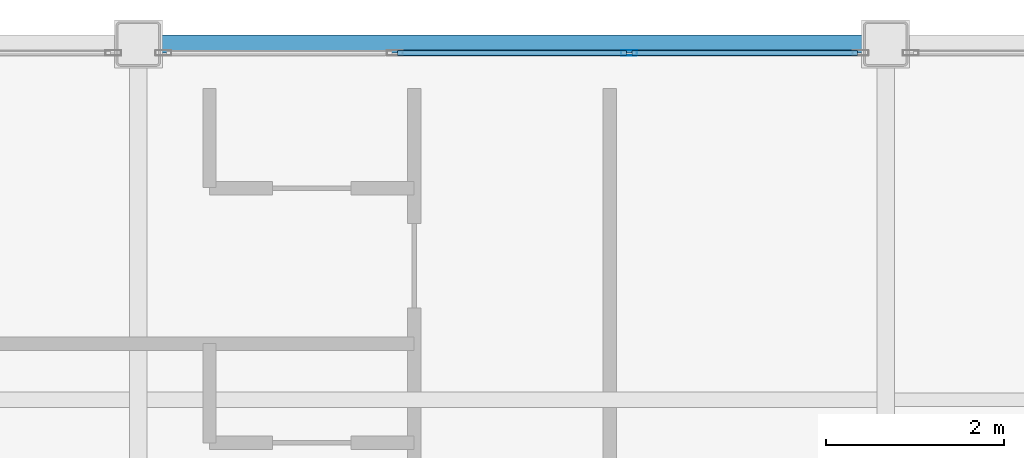
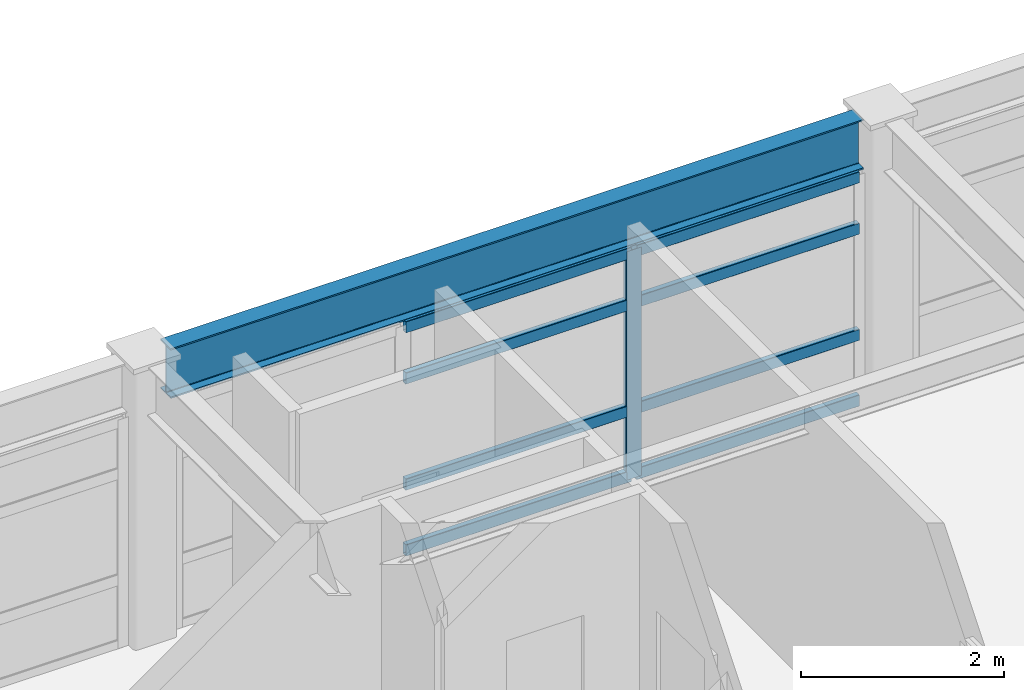
# One storey, part 19 of 33: 9 members, 1 beam, 1 element without a shape of its own.
"""IFC4 building model written with IfcOpenShell, lengths in metres."""

from ifc_helpers import new_model, si_unit, direction, frame, origin, origin_2d, place, context, subcontext, project, spatial, hollow_rectangle, i_section, extrude, material, layer, layer_set, material_profile, profile_set, type_object, element, aggregate, save


model = new_model("IFC4")

# Units and contexts
model_context = context("Model", 3, precision=1e-05, world=origin(), true_north=direction((0.0, 1.0)))
body_context = subcontext(model_context, "Body", "Model", "MODEL_VIEW")
ifc_project = project(units=[si_unit("LENGTHUNIT", "METRE"), si_unit("AREAUNIT", "SQUARE_METRE"), si_unit("VOLUMEUNIT", "CUBIC_METRE"), si_unit("PLANEANGLEUNIT", "RADIAN"), si_unit("MASSUNIT", "GRAM", prefix="KILO")], contexts=[model_context])

# Site, building, storey
site_placement = place(None, origin())
site = spatial("IfcSite", under=ifc_project, at=site_placement, CompositionType="ELEMENT")
building_placement = place(site_placement, origin())
building = spatial("IfcBuilding", under=site, at=building_placement, Name="Kazehara Bluff Congress Hotel", CompositionType="ELEMENT")
storey_placement = place(building_placement, frame((0.0, 0.0, 39.0)))
storey = spatial("IfcBuildingStorey", under=building, at=storey_placement, Name="L09", CompositionType="ELEMENT", Elevation=39.0)

# Curtain wall, members
ifc_material_1 = material(Name="Anodised aluminium", Category="aluminium")
ifc_layer = layer(ifc_material_1, 0.159912109375)
ifc_layer_set = layer_set([ifc_layer], Name="Anodised aluminium")
curtain_wall_type = type_object("IfcCurtainWallType", Name="TP-CW-185", PredefinedType="NOTDEFINED", material=ifc_layer_set)
curtain_wall_placement = place(storey_placement, origin())
curtain_wall = element("IfcCurtainWall", 1, at=curtain_wall_placement, inside=storey, type_object=curtain_wall_type, Name="L09 curtain wall CW-185 CW-ENC-V5-L09-15630-9680", PredefinedType="NOTDEFINED")
ifc_material_2 = material(Name="Anodised aluminium", Category="aluminium")
ifc_material_profile_1 = material_profile(ifc_material_2, hollow_rectangle(XDim=0.06494140625, YDim=0.179931640625, WallThickness=0.00390625, InnerFilletRadius=0.00390625, OuterFilletRadius=0.008056640625, at=origin_2d()))
ifc_profile_set_1 = profile_set([ifc_material_profile_1], Name="Anodised aluminium")
member_type_1 = type_object("IfcMemberType", Name="TP-CWM-02", PredefinedType="MULLION", material=ifc_profile_set_1)
member_1_placement = place(storey_placement, frame((157.61669921875, 96.800048828125, 0.0), z_axis=(0.0, 0.0, 1.0), x_axis=(0.0, 1.0, 0.0)))
member_1 = element("IfcMember", 2, at=member_1_placement, type_object=member_type_1, Name="CW-185 mullion 3", PredefinedType="MULLION", context=body_context, shape_type="SweptSolid", body=[
    extrude(hollow_rectangle(XDim=0.06494140625, YDim=0.179931640625, WallThickness=0.00390625, InnerFilletRadius=0.00390625, OuterFilletRadius=0.008056640625, at=origin_2d()), origin(), (0.0, 0.0, 1.0), 2.7548828125),
])
ifc_material_3 = material(Name="Anodised aluminium", Category="aluminium")
ifc_material_profile_2 = material_profile(ifc_material_3, hollow_rectangle(XDim=0.06494140625, YDim=0.139892578125, WallThickness=0.00390625, InnerFilletRadius=0.00390625, OuterFilletRadius=0.008056640625, at=origin_2d()))
ifc_profile_set_2 = profile_set([ifc_material_profile_2], Name="Anodised aluminium")
member_type_2 = type_object("IfcMemberType", Name="TP-CWT-02", PredefinedType="USERDEFINED", material=ifc_profile_set_2)
member_2_placement = place(storey_placement, frame((155.015869140625, 96.800048828125, 0.032470703125), z_axis=(1.0, 0.0, 0.0), x_axis=(0.0, 1.0, 0.0)))
member_2 = element("IfcMember", 3, at=member_2_placement, type_object=member_type_2, Name="CW-185 transom 2.1", ObjectType="TRANSOM", PredefinedType="USERDEFINED", context=body_context, shape_type="SweptSolid", body=[
    extrude(hollow_rectangle(XDim=0.06494140625, YDim=0.139892578125, WallThickness=0.00390625, InnerFilletRadius=0.00390625, OuterFilletRadius=0.008056640625, at=origin_2d()), origin(), (0.0, 0.0, 1.0), 2.568359375),
])
member_3_placement = place(storey_placement, frame((155.015869140625, 96.800048828125, 0.824951171875), z_axis=(1.0, 0.0, 0.0), x_axis=(0.0, 1.0, 0.0)))
member_3 = element("IfcMember", 4, at=member_3_placement, type_object=member_type_2, Name="CW-185 transom 2.2", ObjectType="TRANSOM", PredefinedType="USERDEFINED", context=body_context, shape_type="SweptSolid", body=[
    extrude(hollow_rectangle(XDim=0.06494140625, YDim=0.139892578125, WallThickness=0.00390625, InnerFilletRadius=0.00390625, OuterFilletRadius=0.008056640625, at=origin_2d()), origin(), (0.0, 0.0, 1.0), 2.568359375),
])
member_4_placement = place(storey_placement, frame((155.015869140625, 96.800048828125, 2.10498046875), z_axis=(1.0, 0.0, 0.0), x_axis=(0.0, 1.0, 0.0)))
member_4 = element("IfcMember", 5, at=member_4_placement, type_object=member_type_2, Name="CW-185 transom 2.3", ObjectType="TRANSOM", PredefinedType="USERDEFINED", context=body_context, shape_type="SweptSolid", body=[
    extrude(hollow_rectangle(XDim=0.06494140625, YDim=0.139892578125, WallThickness=0.00390625, InnerFilletRadius=0.00390625, OuterFilletRadius=0.008056640625, at=origin_2d()), origin(), (0.0, 0.0, 1.0), 2.568359375),
])
member_5_placement = place(storey_placement, frame((155.015869140625, 96.800048828125, 2.722412109375), z_axis=(1.0, 0.0, 0.0), x_axis=(0.0, 1.0, 0.0)))
member_5 = element("IfcMember", 6, at=member_5_placement, type_object=member_type_2, Name="CW-185 transom 2.4", ObjectType="TRANSOM", PredefinedType="USERDEFINED", context=body_context, shape_type="SweptSolid", body=[
    extrude(hollow_rectangle(XDim=0.06494140625, YDim=0.139892578125, WallThickness=0.00390625, InnerFilletRadius=0.00390625, OuterFilletRadius=0.008056640625, at=origin_2d()), origin(), (0.0, 0.0, 1.0), 2.568359375),
])
member_6_placement = place(storey_placement, frame((157.649169921875, 96.800048828125, 0.032470703125), z_axis=(1.0, 0.0, 0.0), x_axis=(0.0, 1.0, 0.0)))
member_6 = element("IfcMember", 7, at=member_6_placement, type_object=member_type_2, Name="CW-185 transom 3.1", ObjectType="TRANSOM", PredefinedType="USERDEFINED", context=body_context, shape_type="SweptSolid", body=[
    extrude(hollow_rectangle(XDim=0.06494140625, YDim=0.139892578125, WallThickness=0.00390625, InnerFilletRadius=0.00390625, OuterFilletRadius=0.008056640625, at=origin_2d()), origin(), (0.0, 0.0, 1.0), 2.535888671875),
])
member_7_placement = place(storey_placement, frame((157.649169921875, 96.800048828125, 0.824951171875), z_axis=(1.0, 0.0, 0.0), x_axis=(0.0, 1.0, 0.0)))
member_7 = element("IfcMember", 8, at=member_7_placement, type_object=member_type_2, Name="CW-185 transom 3.2", ObjectType="TRANSOM", PredefinedType="USERDEFINED", context=body_context, shape_type="SweptSolid", body=[
    extrude(hollow_rectangle(XDim=0.06494140625, YDim=0.139892578125, WallThickness=0.00390625, InnerFilletRadius=0.00390625, OuterFilletRadius=0.008056640625, at=origin_2d()), origin(), (0.0, 0.0, 1.0), 2.535888671875),
])
member_8_placement = place(storey_placement, frame((157.649169921875, 96.800048828125, 2.10498046875), z_axis=(1.0, 0.0, 0.0), x_axis=(0.0, 1.0, 0.0)))
member_8 = element("IfcMember", 9, at=member_8_placement, type_object=member_type_2, Name="CW-185 transom 3.3", ObjectType="TRANSOM", PredefinedType="USERDEFINED", context=body_context, shape_type="SweptSolid", body=[
    extrude(hollow_rectangle(XDim=0.06494140625, YDim=0.139892578125, WallThickness=0.00390625, InnerFilletRadius=0.00390625, OuterFilletRadius=0.008056640625, at=origin_2d()), origin(), (0.0, 0.0, 1.0), 2.535888671875),
])
member_9_placement = place(storey_placement, frame((157.649169921875, 96.800048828125, 2.722412109375), z_axis=(1.0, 0.0, 0.0), x_axis=(0.0, 1.0, 0.0)))
member_9 = element("IfcMember", 10, at=member_9_placement, type_object=member_type_2, Name="CW-185 transom 3.4", ObjectType="TRANSOM", PredefinedType="USERDEFINED", context=body_context, shape_type="SweptSolid", body=[
    extrude(hollow_rectangle(XDim=0.06494140625, YDim=0.139892578125, WallThickness=0.00390625, InnerFilletRadius=0.00390625, OuterFilletRadius=0.008056640625, at=origin_2d()), origin(), (0.0, 0.0, 1.0), 2.535888671875),
])
aggregate(curtain_wall, [member_1, member_2, member_3, member_4, member_5, member_6, member_7, member_8, member_9])

# Beam
ifc_material_4 = material(Name="Steel SN490B", Category="steel")
ifc_material_profile_3 = material_profile(ifc_material_4, i_section(OverallWidth=0.199951171875, OverallDepth=0.60009765625, WebThickness=0.010986328125, FlangeThickness=0.01708984375, FilletRadius=0.012939453125, at=origin_2d()))
ifc_profile_set_3 = profile_set([ifc_material_profile_3], Name="Steel SN490B")
beam_type = type_object("IfcBeamType", Name="TP-G-02", PredefinedType="BEAM", material=ifc_profile_set_3)
beam_placement = place(storey_placement, frame((152.35009765625, 96.89990234375, 3.080078125), z_axis=(1.0, 0.0, 0.0), x_axis=(0.0, 1.0, 0.0)))
element("IfcBeam", 11, at=beam_placement, inside=storey, type_object=beam_type, Name="L09 girder G-02 66", PredefinedType="BEAM", context=body_context, shape_type="SweptSolid", body=[
    extrude(i_section(OverallWidth=0.199951171875, OverallDepth=0.60009765625, WebThickness=0.010986328125, FlangeThickness=0.01708984375, FilletRadius=0.012939453125, at=origin_2d()), origin(), (0.0, 0.0, 1.0), 7.89990234375),
])

save(model, "model.ifc")
